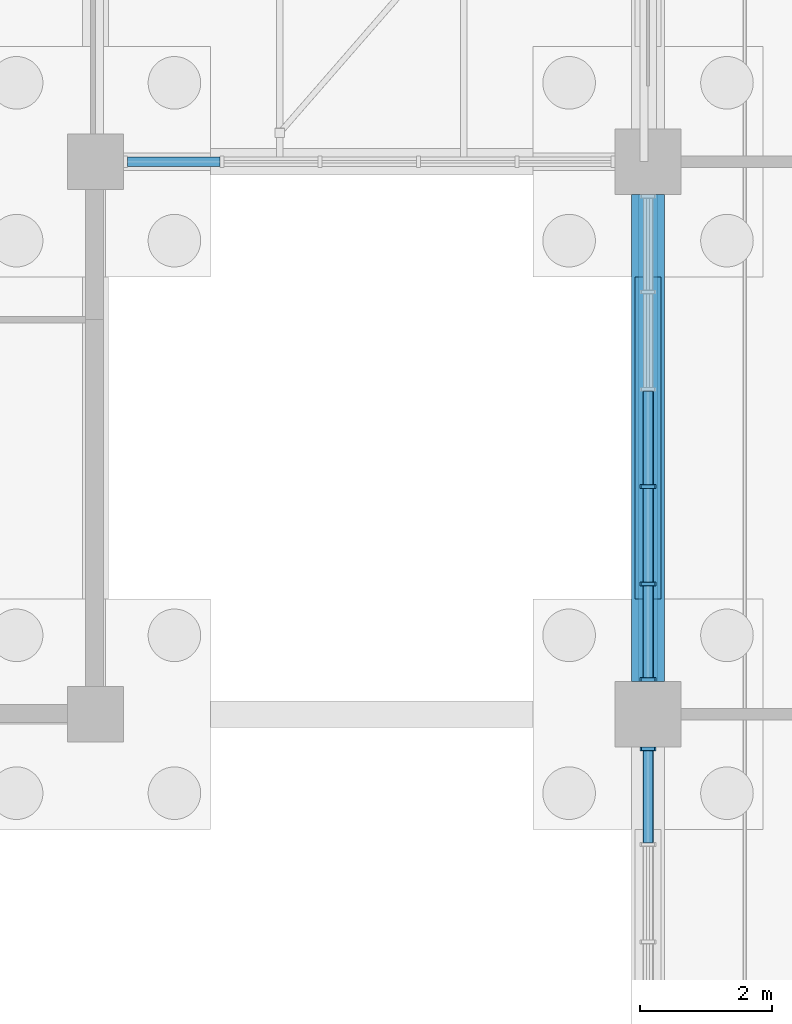
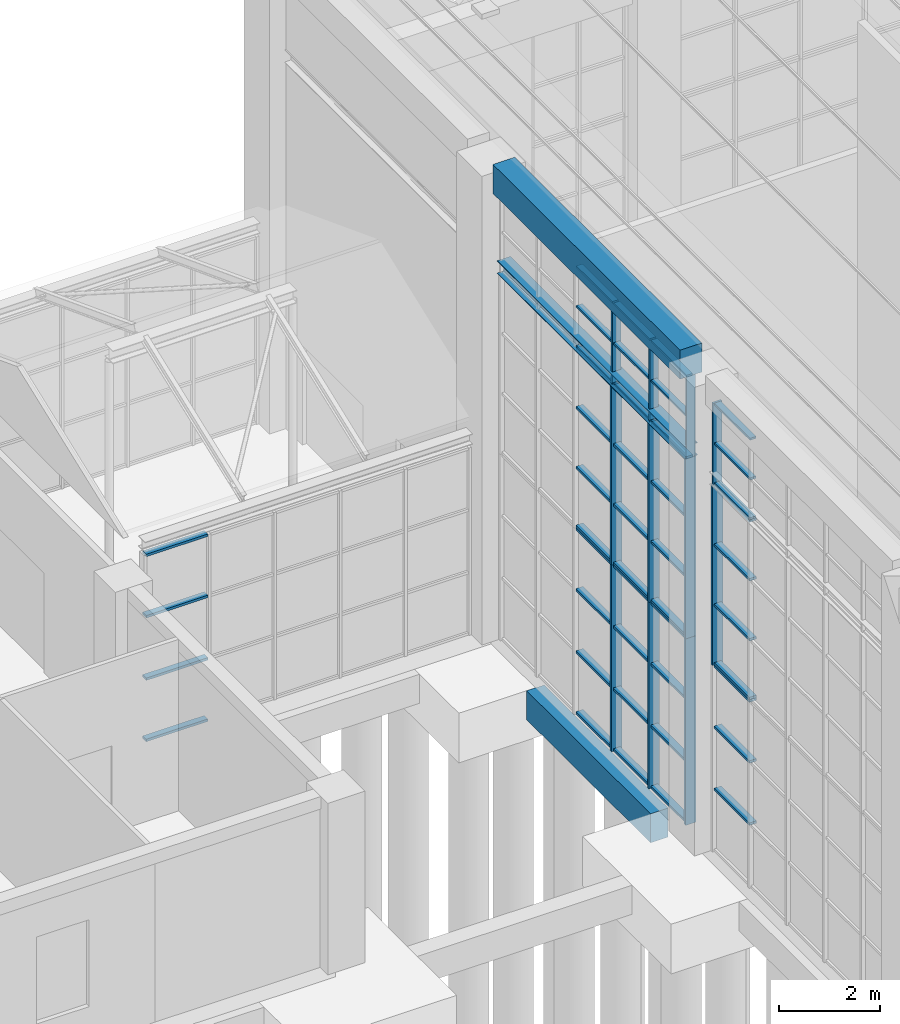
# One storey, part 50 of 138: 58 members, 3 beams, 7 elements without a shape of their own.
"""IFC4 building model written with IfcOpenShell, lengths in metres."""

from ifc_helpers import new_model, si_unit, direction, frame, origin, origin_2d, place, context, subcontext, project, spatial, rectangle, i_section, extrude, material, material_profile, profile_set, type_object, element, aggregate, save


model = new_model("IFC4")

# Units and contexts
model_context = context("Model", 3, precision=1e-05, world=origin(), true_north=direction((0.0, 1.0)))
body_context = subcontext(model_context, "Body", "Model", "MODEL_VIEW")
ifc_project = project(units=[si_unit("LENGTHUNIT", "METRE"), si_unit("AREAUNIT", "SQUARE_METRE"), si_unit("VOLUMEUNIT", "CUBIC_METRE"), si_unit("PLANEANGLEUNIT", "RADIAN"), si_unit("MASSUNIT", "GRAM", prefix="KILO")], contexts=[model_context])

# Site, building, storey
site_placement = place(None, origin())
site = spatial("IfcSite", under=ifc_project, at=site_placement, CompositionType="ELEMENT")
building_placement = place(site_placement, origin())
building = spatial("IfcBuilding", under=site, at=building_placement, Name="Yavir Park General Hospital", CompositionType="ELEMENT")
storey_placement = place(building_placement, origin())
storey = spatial("IfcBuildingStorey", under=building, at=storey_placement, Name="L00", CompositionType="ELEMENT", Elevation=0.0)

# Curtain wall, members
ifc_material_1 = material(Name="Aluminium curtain wall frame with insulated glazing", Category="aluminium")
curtain_wall_type_1 = type_object("IfcCurtainWallType", Name="Glazed link walls, 4525 high, 1400 module", PredefinedType="NOTDEFINED", material=ifc_material_1)
curtain_wall_1_placement = place(storey_placement, origin())
curtain_wall_1 = element("IfcCurtainWall", 1, at=curtain_wall_1_placement, inside=storey, type_object=curtain_wall_type_1, Name="CW38 L00-017", PredefinedType="NOTDEFINED")
ifc_material_2 = material(Name="Aluminium", Category="aluminium")
ifc_material_profile_1 = material_profile(ifc_material_2, rectangle(XDim=0.139892578125, YDim=0.06005859375, at=origin_2d()), Name="AL 140x60")
ifc_profile_set_1 = profile_set([ifc_material_profile_1], Name="Aluminium")
member_type_1 = type_object("IfcMemberType", Name="Glazed link walls, 4525 high transom 60 x 140", PredefinedType="MULLION", material=ifc_profile_set_1)
member_1_placement = place(storey_placement, frame((67.68505859375, 58.800048828125, 0.030029296875), z_axis=(1.0, 0.0, 0.0), x_axis=(0.0, 1.0, 0.0)))
member_1 = element("IfcMember", 2, at=member_1_placement, type_object=member_type_1, Name="CW38 transom 1.1", PredefinedType="MULLION", context=body_context, shape_type="SweptSolid", body=[
    extrude(rectangle(XDim=0.139892578125, YDim=0.06005859375, at=origin_2d()), origin(), (0.0, 0.0, 1.0), 1.405029296875),
])
member_2_placement = place(storey_placement, frame((67.68505859375, 58.800048828125, 1.50830078125), z_axis=(1.0, 0.0, 0.0), x_axis=(0.0, 1.0, 0.0)))
member_2 = element("IfcMember", 3, at=member_2_placement, type_object=member_type_1, Name="CW38 transom 1.2", PredefinedType="MULLION", context=body_context, shape_type="SweptSolid", body=[
    extrude(rectangle(XDim=0.139892578125, YDim=0.06005859375, at=origin_2d()), origin(), (0.0, 0.0, 1.0), 1.405029296875),
])
member_3_placement = place(storey_placement, frame((67.68505859375, 58.800048828125, 3.0166015625), z_axis=(1.0, 0.0, 0.0), x_axis=(0.0, 1.0, 0.0)))
member_3 = element("IfcMember", 4, at=member_3_placement, type_object=member_type_1, Name="CW38 transom 1.3", PredefinedType="MULLION", context=body_context, shape_type="SweptSolid", body=[
    extrude(rectangle(XDim=0.139892578125, YDim=0.06005859375, at=origin_2d()), origin(), (0.0, 0.0, 1.0), 1.405029296875),
])
member_4_placement = place(storey_placement, frame((67.68505859375, 58.800048828125, 4.4951171875), z_axis=(1.0, 0.0, 0.0), x_axis=(0.0, 1.0, 0.0)))
member_4 = element("IfcMember", 5, at=member_4_placement, type_object=member_type_1, Name="CW38 transom 1.4", PredefinedType="MULLION", context=body_context, shape_type="SweptSolid", body=[
    extrude(rectangle(XDim=0.139892578125, YDim=0.06005859375, at=origin_2d()), origin(), (0.0, 0.0, 1.0), 1.405029296875),
])
aggregate(curtain_wall_1, [member_1, member_2, member_3, member_4])

# Beam
ifc_material_3 = material(Name="Steel S355", Category="steel")
ifc_material_profile_2 = material_profile(ifc_material_3, i_section(OverallWidth=0.300048828125, OverallDepth=0.31005859375, WebThickness=0.009033203125, FlangeThickness=0.015380859375, FilletRadius=0.027099609375, at=origin_2d()), Name="HEA320")
ifc_profile_set_2 = profile_set([ifc_material_profile_2], Name="Steel S355")
beam_type_1 = type_object("IfcBeamType", Name="HEA 320 wind girder", PredefinedType="BEAM", material=ifc_profile_set_2)
beam_1_placement = place(storey_placement, frame((75.60009765625, 50.89990234375, 9.0), z_axis=(0.0, 1.0, 0.0), x_axis=(-1.0, 0.0, 0.0)))
element("IfcBeam", 6, at=beam_1_placement, inside=storey, type_object=beam_type_1, Name="B:HALL:WIND:W1", PredefinedType="BEAM", context=body_context, shape_type="SweptSolid", body=[
    extrude(i_section(OverallWidth=0.300048828125, OverallDepth=0.31005859375, WebThickness=0.009033203125, FlangeThickness=0.015380859375, FilletRadius=0.027099609375, at=origin_2d()), origin(), (0.0, 0.0, 1.0), 7.400146484375),
])

# Curtain wall, member
ifc_material_4 = material(Name="Aluminium curtain wall frame with insulated glazing", Category="aluminium")
curtain_wall_type_2 = type_object("IfcCurtainWallType", Name="Main hall glazing, clerestory band, 1970 high, 1400 module", PredefinedType="NOTDEFINED", material=ifc_material_4)
curtain_wall_2_placement = place(storey_placement, origin())
curtain_wall_2 = element("IfcCurtainWall", 7, at=curtain_wall_2_placement, inside=storey, type_object=curtain_wall_type_2, Name="CW35 L00-052", PredefinedType="NOTDEFINED")
ifc_material_5 = material(Name="Aluminium", Category="aluminium")
ifc_material_profile_3 = material_profile(ifc_material_5, rectangle(XDim=0.199951171875, YDim=0.050048828125, at=origin_2d()), Name="AL 50x200")
ifc_profile_set_3 = profile_set([ifc_material_profile_3], Name="Aluminium")
member_type_2 = type_object("IfcMemberType", Name="Main hall glazing, clerestory band, 1970 high mullion 50 x 200", PredefinedType="MULLION", material=ifc_profile_set_3)
member_5_placement = place(storey_placement, frame((75.60009765625, 49.875, 8.844970703125), z_axis=(0.0, 0.0, 1.0), x_axis=(-1.0, 0.0, 0.0)))
member_5 = element("IfcMember", 8, at=member_5_placement, type_object=member_type_2, Name="CW35 mullion 6", PredefinedType="MULLION", context=body_context, shape_type="SweptSolid", body=[
    extrude(rectangle(XDim=0.199951171875, YDim=0.050048828125, at=origin_2d()), origin(), (0.0, 0.0, 1.0), 1.969970703125),
])

# Curtain wall, members
curtain_wall_3_placement = place(storey_placement, origin())
curtain_wall_3 = element("IfcCurtainWall", 9, at=curtain_wall_3_placement, inside=storey, type_object=curtain_wall_type_2, Name="CW35 L00-055", PredefinedType="NOTDEFINED")
member_6_placement = place(storey_placement, frame((75.60009765625, 50.925048828125, 8.844970703125), z_axis=(0.0, 0.0, 1.0), x_axis=(-1.0, 0.0, 0.0)))
member_6 = element("IfcMember", 10, at=member_6_placement, type_object=member_type_2, Name="CW35 mullion 1", PredefinedType="MULLION", context=body_context, shape_type="SweptSolid", body=[
    extrude(rectangle(XDim=0.199951171875, YDim=0.050048828125, at=origin_2d()), origin(), (0.0, 0.0, 1.0), 1.969970703125),
])
member_7_placement = place(storey_placement, frame((75.60009765625, 52.3798828125, 8.844970703125), z_axis=(0.0, 0.0, 1.0), x_axis=(-1.0, 0.0, 0.0)))
member_7 = element("IfcMember", 11, at=member_7_placement, type_object=member_type_2, Name="CW35 mullion 2", PredefinedType="MULLION", context=body_context, shape_type="SweptSolid", body=[
    extrude(rectangle(XDim=0.199951171875, YDim=0.050048828125, at=origin_2d()), origin(), (0.0, 0.0, 1.0), 1.969970703125),
])
member_8_placement = place(storey_placement, frame((75.60009765625, 53.860107421875, 8.844970703125), z_axis=(0.0, 0.0, 1.0), x_axis=(-1.0, 0.0, 0.0)))
member_8 = element("IfcMember", 12, at=member_8_placement, type_object=member_type_2, Name="CW35 mullion 3", PredefinedType="MULLION", context=body_context, shape_type="SweptSolid", body=[
    extrude(rectangle(XDim=0.199951171875, YDim=0.050048828125, at=origin_2d()), origin(), (0.0, 0.0, 1.0), 1.969970703125),
])

# Member
ifc_material_6 = material(Name="Aluminium", Category="aluminium")
ifc_material_profile_4 = material_profile(ifc_material_6, rectangle(XDim=0.139892578125, YDim=0.050048828125, at=origin_2d()), Name="AL 140x50")
ifc_profile_set_4 = profile_set([ifc_material_profile_4], Name="Aluminium")
member_type_3 = type_object("IfcMemberType", Name="Main hall glazing, clerestory band, 1970 high transom 50 x 140", PredefinedType="MULLION", material=ifc_profile_set_4)
member_9_placement = place(storey_placement, frame((75.60009765625, 48.445068359375, 8.8701171875), z_axis=(0.0, 1.0, 0.0), x_axis=(-1.0, 0.0, 0.0)))
member_9 = element("IfcMember", 13, at=member_9_placement, type_object=member_type_3, Name="CW35 transom 5.1", PredefinedType="MULLION", context=body_context, shape_type="SweptSolid", body=[
    extrude(rectangle(XDim=0.139892578125, YDim=0.050048828125, at=origin_2d()), origin(), (0.0, 0.0, 1.0), 1.405029296875),
])

member_10_placement = place(storey_placement, frame((75.60009765625, 48.445068359375, 9.830078125), z_axis=(0.0, 1.0, 0.0), x_axis=(-1.0, 0.0, 0.0)))
member_10 = element("IfcMember", 14, at=member_10_placement, type_object=member_type_3, Name="CW35 transom 5.2", PredefinedType="MULLION", context=body_context, shape_type="SweptSolid", body=[
    extrude(rectangle(XDim=0.139892578125, YDim=0.050048828125, at=origin_2d()), origin(), (0.0, 0.0, 1.0), 1.405029296875),
])

member_11_placement = place(storey_placement, frame((75.60009765625, 48.445068359375, 10.7900390625), z_axis=(0.0, 1.0, 0.0), x_axis=(-1.0, 0.0, 0.0)))
member_11 = element("IfcMember", 15, at=member_11_placement, type_object=member_type_3, Name="CW35 transom 5.3", PredefinedType="MULLION", context=body_context, shape_type="SweptSolid", body=[
    extrude(rectangle(XDim=0.139892578125, YDim=0.050048828125, at=origin_2d()), origin(), (0.0, 0.0, 1.0), 1.405029296875),
])

aggregate(curtain_wall_2, [member_5, member_9, member_10, member_11])

member_12_placement = place(storey_placement, frame((75.60009765625, 50.949951171875, 8.8701171875), z_axis=(0.0, 1.0, 0.0), x_axis=(-1.0, 0.0, 0.0)))
member_12 = element("IfcMember", 16, at=member_12_placement, type_object=member_type_3, Name="CW35 transom 1.1", PredefinedType="MULLION", context=body_context, shape_type="SweptSolid", body=[
    extrude(rectangle(XDim=0.139892578125, YDim=0.050048828125, at=origin_2d()), origin(), (0.0, 0.0, 1.0), 1.405029296875),
])

member_13_placement = place(storey_placement, frame((75.60009765625, 50.949951171875, 9.830078125), z_axis=(0.0, 1.0, 0.0), x_axis=(-1.0, 0.0, 0.0)))
member_13 = element("IfcMember", 17, at=member_13_placement, type_object=member_type_3, Name="CW35 transom 1.2", PredefinedType="MULLION", context=body_context, shape_type="SweptSolid", body=[
    extrude(rectangle(XDim=0.139892578125, YDim=0.050048828125, at=origin_2d()), origin(), (0.0, 0.0, 1.0), 1.405029296875),
])

member_14_placement = place(storey_placement, frame((75.60009765625, 50.949951171875, 10.7900390625), z_axis=(0.0, 1.0, 0.0), x_axis=(-1.0, 0.0, 0.0)))
member_14 = element("IfcMember", 18, at=member_14_placement, type_object=member_type_3, Name="CW35 transom 1.3", PredefinedType="MULLION", context=body_context, shape_type="SweptSolid", body=[
    extrude(rectangle(XDim=0.139892578125, YDim=0.050048828125, at=origin_2d()), origin(), (0.0, 0.0, 1.0), 1.405029296875),
])

member_15_placement = place(storey_placement, frame((75.60009765625, 52.405029296875, 8.8701171875), z_axis=(0.0, 1.0, 0.0), x_axis=(-1.0, 0.0, 0.0)))
member_15 = element("IfcMember", 19, at=member_15_placement, type_object=member_type_3, Name="CW35 transom 2.1", PredefinedType="MULLION", context=body_context, shape_type="SweptSolid", body=[
    extrude(rectangle(XDim=0.139892578125, YDim=0.050048828125, at=origin_2d()), origin(), (0.0, 0.0, 1.0), 1.429931640625),
])

member_16_placement = place(storey_placement, frame((75.60009765625, 52.405029296875, 9.830078125), z_axis=(0.0, 1.0, 0.0), x_axis=(-1.0, 0.0, 0.0)))
member_16 = element("IfcMember", 20, at=member_16_placement, type_object=member_type_3, Name="CW35 transom 2.2", PredefinedType="MULLION", context=body_context, shape_type="SweptSolid", body=[
    extrude(rectangle(XDim=0.139892578125, YDim=0.050048828125, at=origin_2d()), origin(), (0.0, 0.0, 1.0), 1.429931640625),
])

member_17_placement = place(storey_placement, frame((75.60009765625, 52.405029296875, 10.7900390625), z_axis=(0.0, 1.0, 0.0), x_axis=(-1.0, 0.0, 0.0)))
member_17 = element("IfcMember", 21, at=member_17_placement, type_object=member_type_3, Name="CW35 transom 2.3", PredefinedType="MULLION", context=body_context, shape_type="SweptSolid", body=[
    extrude(rectangle(XDim=0.139892578125, YDim=0.050048828125, at=origin_2d()), origin(), (0.0, 0.0, 1.0), 1.429931640625),
])

member_18_placement = place(storey_placement, frame((75.60009765625, 53.885009765625, 8.8701171875), z_axis=(0.0, 1.0, 0.0), x_axis=(-1.0, 0.0, 0.0)))
member_18 = element("IfcMember", 22, at=member_18_placement, type_object=member_type_3, Name="CW35 transom 3.1", PredefinedType="MULLION", context=body_context, shape_type="SweptSolid", body=[
    extrude(rectangle(XDim=0.139892578125, YDim=0.050048828125, at=origin_2d()), origin(), (0.0, 0.0, 1.0), 1.429931640625),
])

member_19_placement = place(storey_placement, frame((75.60009765625, 53.885009765625, 9.830078125), z_axis=(0.0, 1.0, 0.0), x_axis=(-1.0, 0.0, 0.0)))
member_19 = element("IfcMember", 23, at=member_19_placement, type_object=member_type_3, Name="CW35 transom 3.2", PredefinedType="MULLION", context=body_context, shape_type="SweptSolid", body=[
    extrude(rectangle(XDim=0.139892578125, YDim=0.050048828125, at=origin_2d()), origin(), (0.0, 0.0, 1.0), 1.429931640625),
])

member_20_placement = place(storey_placement, frame((75.60009765625, 53.885009765625, 10.7900390625), z_axis=(0.0, 1.0, 0.0), x_axis=(-1.0, 0.0, 0.0)))
member_20 = element("IfcMember", 24, at=member_20_placement, type_object=member_type_3, Name="CW35 transom 3.3", PredefinedType="MULLION", context=body_context, shape_type="SweptSolid", body=[
    extrude(rectangle(XDim=0.139892578125, YDim=0.050048828125, at=origin_2d()), origin(), (0.0, 0.0, 1.0), 1.429931640625),
])

aggregate(curtain_wall_3, [member_6, member_7, member_8, member_12, member_13, member_14, member_15, member_16, member_17, member_18, member_19, member_20])

# Curtain wall, members
ifc_material_7 = material(Name="Aluminium curtain wall frame with insulated glazing", Category="aluminium")
curtain_wall_type_3 = type_object("IfcCurtainWallType", Name="Main hall glazing, lower band, 4500 high, 1400 module", PredefinedType="NOTDEFINED", material=ifc_material_7)
curtain_wall_4_placement = place(storey_placement, origin())
curtain_wall_4 = element("IfcCurtainWall", 25, at=curtain_wall_4_placement, inside=storey, type_object=curtain_wall_type_3, Name="CW33 L00-053", PredefinedType="NOTDEFINED")
ifc_material_8 = material(Name="Aluminium", Category="aluminium")
ifc_material_profile_5 = material_profile(ifc_material_8, rectangle(XDim=0.239990234375, YDim=0.06005859375, at=origin_2d()), Name="AL 60x240")
ifc_profile_set_5 = profile_set([ifc_material_profile_5], Name="Aluminium")
member_type_4 = type_object("IfcMemberType", Name="Main hall glazing, lower band, 4500 high mullion 60 x 240", PredefinedType="MULLION", material=ifc_profile_set_5)
member_21_placement = place(storey_placement, frame((75.60009765625, 50.929931640625, 0.0), z_axis=(0.0, 0.0, 1.0), x_axis=(-1.0, 0.0, 0.0)))
member_21 = element("IfcMember", 26, at=member_21_placement, type_object=member_type_4, Name="CW33 mullion 1", PredefinedType="MULLION", context=body_context, shape_type="SweptSolid", body=[
    extrude(rectangle(XDim=0.239990234375, YDim=0.06005859375, at=origin_2d()), origin(), (0.0, 0.0, 1.0), 4.5),
])
member_22_placement = place(storey_placement, frame((75.60009765625, 52.3798828125, 0.0), z_axis=(0.0, 0.0, 1.0), x_axis=(-1.0, 0.0, 0.0)))
member_22 = element("IfcMember", 27, at=member_22_placement, type_object=member_type_4, Name="CW33 mullion 2", PredefinedType="MULLION", context=body_context, shape_type="SweptSolid", body=[
    extrude(rectangle(XDim=0.239990234375, YDim=0.06005859375, at=origin_2d()), origin(), (0.0, 0.0, 1.0), 4.5),
])
member_23_placement = place(storey_placement, frame((75.60009765625, 53.860107421875, 0.0), z_axis=(0.0, 0.0, 1.0), x_axis=(-1.0, 0.0, 0.0)))
member_23 = element("IfcMember", 28, at=member_23_placement, type_object=member_type_4, Name="CW33 mullion 3", PredefinedType="MULLION", context=body_context, shape_type="SweptSolid", body=[
    extrude(rectangle(XDim=0.239990234375, YDim=0.06005859375, at=origin_2d()), origin(), (0.0, 0.0, 1.0), 4.5),
])

curtain_wall_5_placement = place(storey_placement, origin())
curtain_wall_5 = element("IfcCurtainWall", 29, at=curtain_wall_5_placement, inside=storey, type_object=curtain_wall_type_3, Name="CW33 L00-050", PredefinedType="NOTDEFINED")
ifc_material_9 = material(Name="Aluminium", Category="aluminium")
ifc_material_profile_6 = material_profile(ifc_material_9, rectangle(XDim=0.159912109375, YDim=0.06005859375, at=origin_2d()), Name="AL 160x60")
ifc_profile_set_6 = profile_set([ifc_material_profile_6], Name="Aluminium")
member_type_5 = type_object("IfcMemberType", Name="Main hall glazing, lower band, 4500 high transom 60 x 160", PredefinedType="MULLION", material=ifc_profile_set_6)
member_24_placement = place(storey_placement, frame((75.60009765625, 48.449951171875, 1.5), z_axis=(0.0, 1.0, 0.0), x_axis=(-1.0, 0.0, 0.0)))
member_24 = element("IfcMember", 30, at=member_24_placement, type_object=member_type_5, Name="CW33 transom 5.2", PredefinedType="MULLION", context=body_context, shape_type="SweptSolid", body=[
    extrude(rectangle(XDim=0.159912109375, YDim=0.06005859375, at=origin_2d()), origin(), (0.0, 0.0, 1.0), 1.39013671875),
])
member_25_placement = place(storey_placement, frame((75.60009765625, 48.449951171875, 3.0), z_axis=(0.0, 1.0, 0.0), x_axis=(-1.0, 0.0, 0.0)))
member_25 = element("IfcMember", 31, at=member_25_placement, type_object=member_type_5, Name="CW33 transom 5.3", PredefinedType="MULLION", context=body_context, shape_type="SweptSolid", body=[
    extrude(rectangle(XDim=0.159912109375, YDim=0.06005859375, at=origin_2d()), origin(), (0.0, 0.0, 1.0), 1.39013671875),
])
member_26_placement = place(storey_placement, frame((75.60009765625, 48.449951171875, 4.469970703125), z_axis=(0.0, 1.0, 0.0), x_axis=(-1.0, 0.0, 0.0)))
member_26 = element("IfcMember", 32, at=member_26_placement, type_object=member_type_5, Name="CW33 transom 5.4", PredefinedType="MULLION", context=body_context, shape_type="SweptSolid", body=[
    extrude(rectangle(XDim=0.159912109375, YDim=0.06005859375, at=origin_2d()), origin(), (0.0, 0.0, 1.0), 1.39013671875),
])
aggregate(curtain_wall_5, [member_24, member_25, member_26])

# Member
member_27_placement = place(storey_placement, frame((75.60009765625, 50.9599609375, 0.030029296875), z_axis=(0.0, 1.0, 0.0), x_axis=(-1.0, 0.0, 0.0)))
member_27 = element("IfcMember", 33, at=member_27_placement, type_object=member_type_5, Name="CW33 transom 1.1", PredefinedType="MULLION", context=body_context, shape_type="SweptSolid", body=[
    extrude(rectangle(XDim=0.159912109375, YDim=0.06005859375, at=origin_2d()), origin(), (0.0, 0.0, 1.0), 1.39013671875),
])

member_28_placement = place(storey_placement, frame((75.60009765625, 50.9599609375, 1.5), z_axis=(0.0, 1.0, 0.0), x_axis=(-1.0, 0.0, 0.0)))
member_28 = element("IfcMember", 34, at=member_28_placement, type_object=member_type_5, Name="CW33 transom 1.2", PredefinedType="MULLION", context=body_context, shape_type="SweptSolid", body=[
    extrude(rectangle(XDim=0.159912109375, YDim=0.06005859375, at=origin_2d()), origin(), (0.0, 0.0, 1.0), 1.39013671875),
])

member_29_placement = place(storey_placement, frame((75.60009765625, 50.9599609375, 3.0), z_axis=(0.0, 1.0, 0.0), x_axis=(-1.0, 0.0, 0.0)))
member_29 = element("IfcMember", 35, at=member_29_placement, type_object=member_type_5, Name="CW33 transom 1.3", PredefinedType="MULLION", context=body_context, shape_type="SweptSolid", body=[
    extrude(rectangle(XDim=0.159912109375, YDim=0.06005859375, at=origin_2d()), origin(), (0.0, 0.0, 1.0), 1.39013671875),
])

member_30_placement = place(storey_placement, frame((75.60009765625, 50.9599609375, 4.469970703125), z_axis=(0.0, 1.0, 0.0), x_axis=(-1.0, 0.0, 0.0)))
member_30 = element("IfcMember", 36, at=member_30_placement, type_object=member_type_5, Name="CW33 transom 1.4", PredefinedType="MULLION", context=body_context, shape_type="SweptSolid", body=[
    extrude(rectangle(XDim=0.159912109375, YDim=0.06005859375, at=origin_2d()), origin(), (0.0, 0.0, 1.0), 1.39013671875),
])

member_31_placement = place(storey_placement, frame((75.60009765625, 52.409912109375, 0.030029296875), z_axis=(0.0, 1.0, 0.0), x_axis=(-1.0, 0.0, 0.0)))
member_31 = element("IfcMember", 37, at=member_31_placement, type_object=member_type_5, Name="CW33 transom 2.1", PredefinedType="MULLION", context=body_context, shape_type="SweptSolid", body=[
    extrude(rectangle(XDim=0.159912109375, YDim=0.06005859375, at=origin_2d()), origin(), (0.0, 0.0, 1.0), 1.420166015625),
])

member_32_placement = place(storey_placement, frame((75.60009765625, 52.409912109375, 1.5), z_axis=(0.0, 1.0, 0.0), x_axis=(-1.0, 0.0, 0.0)))
member_32 = element("IfcMember", 38, at=member_32_placement, type_object=member_type_5, Name="CW33 transom 2.2", PredefinedType="MULLION", context=body_context, shape_type="SweptSolid", body=[
    extrude(rectangle(XDim=0.159912109375, YDim=0.06005859375, at=origin_2d()), origin(), (0.0, 0.0, 1.0), 1.420166015625),
])

member_33_placement = place(storey_placement, frame((75.60009765625, 52.409912109375, 3.0), z_axis=(0.0, 1.0, 0.0), x_axis=(-1.0, 0.0, 0.0)))
member_33 = element("IfcMember", 39, at=member_33_placement, type_object=member_type_5, Name="CW33 transom 2.3", PredefinedType="MULLION", context=body_context, shape_type="SweptSolid", body=[
    extrude(rectangle(XDim=0.159912109375, YDim=0.06005859375, at=origin_2d()), origin(), (0.0, 0.0, 1.0), 1.420166015625),
])

member_34_placement = place(storey_placement, frame((75.60009765625, 52.409912109375, 4.469970703125), z_axis=(0.0, 1.0, 0.0), x_axis=(-1.0, 0.0, 0.0)))
member_34 = element("IfcMember", 40, at=member_34_placement, type_object=member_type_5, Name="CW33 transom 2.4", PredefinedType="MULLION", context=body_context, shape_type="SweptSolid", body=[
    extrude(rectangle(XDim=0.159912109375, YDim=0.06005859375, at=origin_2d()), origin(), (0.0, 0.0, 1.0), 1.420166015625),
])

member_35_placement = place(storey_placement, frame((75.60009765625, 53.889892578125, 0.030029296875), z_axis=(0.0, 1.0, 0.0), x_axis=(-1.0, 0.0, 0.0)))
member_35 = element("IfcMember", 41, at=member_35_placement, type_object=member_type_5, Name="CW33 transom 3.1", PredefinedType="MULLION", context=body_context, shape_type="SweptSolid", body=[
    extrude(rectangle(XDim=0.159912109375, YDim=0.06005859375, at=origin_2d()), origin(), (0.0, 0.0, 1.0), 1.420166015625),
])

member_36_placement = place(storey_placement, frame((75.60009765625, 53.889892578125, 1.5), z_axis=(0.0, 1.0, 0.0), x_axis=(-1.0, 0.0, 0.0)))
member_36 = element("IfcMember", 42, at=member_36_placement, type_object=member_type_5, Name="CW33 transom 3.2", PredefinedType="MULLION", context=body_context, shape_type="SweptSolid", body=[
    extrude(rectangle(XDim=0.159912109375, YDim=0.06005859375, at=origin_2d()), origin(), (0.0, 0.0, 1.0), 1.420166015625),
])

member_37_placement = place(storey_placement, frame((75.60009765625, 53.889892578125, 3.0), z_axis=(0.0, 1.0, 0.0), x_axis=(-1.0, 0.0, 0.0)))
member_37 = element("IfcMember", 43, at=member_37_placement, type_object=member_type_5, Name="CW33 transom 3.3", PredefinedType="MULLION", context=body_context, shape_type="SweptSolid", body=[
    extrude(rectangle(XDim=0.159912109375, YDim=0.06005859375, at=origin_2d()), origin(), (0.0, 0.0, 1.0), 1.420166015625),
])

member_38_placement = place(storey_placement, frame((75.60009765625, 53.889892578125, 4.469970703125), z_axis=(0.0, 1.0, 0.0), x_axis=(-1.0, 0.0, 0.0)))
member_38 = element("IfcMember", 44, at=member_38_placement, type_object=member_type_5, Name="CW33 transom 3.4", PredefinedType="MULLION", context=body_context, shape_type="SweptSolid", body=[
    extrude(rectangle(XDim=0.159912109375, YDim=0.06005859375, at=origin_2d()), origin(), (0.0, 0.0, 1.0), 1.420166015625),
])

aggregate(curtain_wall_4, [member_21, member_22, member_23, member_27, member_28, member_29, member_30, member_31, member_32, member_33, member_34, member_35, member_36, member_37, member_38])

# Curtain wall, member
ifc_material_10 = material(Name="Aluminium curtain wall frame with insulated glazing", Category="aluminium")
curtain_wall_type_4 = type_object("IfcCurtainWallType", Name="Main hall glazing, upper band, 4345 high, 1400 module", PredefinedType="NOTDEFINED", material=ifc_material_10)
curtain_wall_6_placement = place(storey_placement, origin())
curtain_wall_6 = element("IfcCurtainWall", 45, at=curtain_wall_6_placement, inside=storey, type_object=curtain_wall_type_4, Name="CW52 L00-051", PredefinedType="NOTDEFINED")
ifc_material_11 = material(Name="Aluminium", Category="aluminium")
ifc_material_profile_7 = material_profile(ifc_material_11, rectangle(XDim=0.239990234375, YDim=0.06005859375, at=origin_2d()), Name="AL 60x240")
ifc_profile_set_7 = profile_set([ifc_material_profile_7], Name="Aluminium")
member_type_6 = type_object("IfcMemberType", Name="Main hall glazing, upper band, 4345 high mullion 60 x 240", PredefinedType="MULLION", material=ifc_profile_set_7)
member_39_placement = place(storey_placement, frame((75.60009765625, 49.8701171875, 4.5), z_axis=(0.0, 0.0, 1.0), x_axis=(-1.0, 0.0, 0.0)))
member_39 = element("IfcMember", 46, at=member_39_placement, type_object=member_type_6, Name="CW52 mullion 6", PredefinedType="MULLION", context=body_context, shape_type="SweptSolid", body=[
    extrude(rectangle(XDim=0.239990234375, YDim=0.06005859375, at=origin_2d()), origin(), (0.0, 0.0, 1.0), 4.344970703125),
])

# Curtain wall, members
curtain_wall_7_placement = place(storey_placement, origin())
curtain_wall_7 = element("IfcCurtainWall", 47, at=curtain_wall_7_placement, inside=storey, type_object=curtain_wall_type_4, Name="CW52 L00-054", PredefinedType="NOTDEFINED")
member_40_placement = place(storey_placement, frame((75.60009765625, 50.929931640625, 4.5), z_axis=(0.0, 0.0, 1.0), x_axis=(-1.0, 0.0, 0.0)))
member_40 = element("IfcMember", 48, at=member_40_placement, type_object=member_type_6, Name="CW52 mullion 1", PredefinedType="MULLION", context=body_context, shape_type="SweptSolid", body=[
    extrude(rectangle(XDim=0.239990234375, YDim=0.06005859375, at=origin_2d()), origin(), (0.0, 0.0, 1.0), 4.344970703125),
])
member_41_placement = place(storey_placement, frame((75.60009765625, 52.3798828125, 4.5), z_axis=(0.0, 0.0, 1.0), x_axis=(-1.0, 0.0, 0.0)))
member_41 = element("IfcMember", 49, at=member_41_placement, type_object=member_type_6, Name="CW52 mullion 2", PredefinedType="MULLION", context=body_context, shape_type="SweptSolid", body=[
    extrude(rectangle(XDim=0.239990234375, YDim=0.06005859375, at=origin_2d()), origin(), (0.0, 0.0, 1.0), 4.344970703125),
])
member_42_placement = place(storey_placement, frame((75.60009765625, 53.860107421875, 4.5), z_axis=(0.0, 0.0, 1.0), x_axis=(-1.0, 0.0, 0.0)))
member_42 = element("IfcMember", 50, at=member_42_placement, type_object=member_type_6, Name="CW52 mullion 3", PredefinedType="MULLION", context=body_context, shape_type="SweptSolid", body=[
    extrude(rectangle(XDim=0.239990234375, YDim=0.06005859375, at=origin_2d()), origin(), (0.0, 0.0, 1.0), 4.344970703125),
])

# Member
ifc_material_12 = material(Name="Aluminium", Category="aluminium")
ifc_material_profile_8 = material_profile(ifc_material_12, rectangle(XDim=0.159912109375, YDim=0.06005859375, at=origin_2d()), Name="AL 160x60")
ifc_profile_set_8 = profile_set([ifc_material_profile_8], Name="Aluminium")
member_type_7 = type_object("IfcMemberType", Name="Main hall glazing, upper band, 4345 high transom 60 x 160", PredefinedType="MULLION", material=ifc_profile_set_8)
member_43_placement = place(storey_placement, frame((75.60009765625, 48.449951171875, 4.530029296875), z_axis=(0.0, 1.0, 0.0), x_axis=(-1.0, 0.0, 0.0)))
member_43 = element("IfcMember", 51, at=member_43_placement, type_object=member_type_7, Name="CW52 transom 5.1", PredefinedType="MULLION", context=body_context, shape_type="SweptSolid", body=[
    extrude(rectangle(XDim=0.159912109375, YDim=0.06005859375, at=origin_2d()), origin(), (0.0, 0.0, 1.0), 1.39013671875),
])

member_44_placement = place(storey_placement, frame((75.60009765625, 48.449951171875, 5.9482421875), z_axis=(0.0, 1.0, 0.0), x_axis=(-1.0, 0.0, 0.0)))
member_44 = element("IfcMember", 52, at=member_44_placement, type_object=member_type_7, Name="CW52 transom 5.2", PredefinedType="MULLION", context=body_context, shape_type="SweptSolid", body=[
    extrude(rectangle(XDim=0.159912109375, YDim=0.06005859375, at=origin_2d()), origin(), (0.0, 0.0, 1.0), 1.39013671875),
])

member_45_placement = place(storey_placement, frame((75.60009765625, 48.449951171875, 7.396728515625), z_axis=(0.0, 1.0, 0.0), x_axis=(-1.0, 0.0, 0.0)))
member_45 = element("IfcMember", 53, at=member_45_placement, type_object=member_type_7, Name="CW52 transom 5.3", PredefinedType="MULLION", context=body_context, shape_type="SweptSolid", body=[
    extrude(rectangle(XDim=0.159912109375, YDim=0.06005859375, at=origin_2d()), origin(), (0.0, 0.0, 1.0), 1.39013671875),
])

member_46_placement = place(storey_placement, frame((75.60009765625, 48.449951171875, 8.81494140625), z_axis=(0.0, 1.0, 0.0), x_axis=(-1.0, 0.0, 0.0)))
member_46 = element("IfcMember", 54, at=member_46_placement, type_object=member_type_7, Name="CW52 transom 5.4", PredefinedType="MULLION", context=body_context, shape_type="SweptSolid", body=[
    extrude(rectangle(XDim=0.159912109375, YDim=0.06005859375, at=origin_2d()), origin(), (0.0, 0.0, 1.0), 1.39013671875),
])

aggregate(curtain_wall_6, [member_39, member_43, member_44, member_45, member_46])

member_47_placement = place(storey_placement, frame((75.60009765625, 50.9599609375, 4.530029296875), z_axis=(0.0, 1.0, 0.0), x_axis=(-1.0, 0.0, 0.0)))
member_47 = element("IfcMember", 55, at=member_47_placement, type_object=member_type_7, Name="CW52 transom 1.1", PredefinedType="MULLION", context=body_context, shape_type="SweptSolid", body=[
    extrude(rectangle(XDim=0.159912109375, YDim=0.06005859375, at=origin_2d()), origin(), (0.0, 0.0, 1.0), 1.39013671875),
])

member_48_placement = place(storey_placement, frame((75.60009765625, 50.9599609375, 5.9482421875), z_axis=(0.0, 1.0, 0.0), x_axis=(-1.0, 0.0, 0.0)))
member_48 = element("IfcMember", 56, at=member_48_placement, type_object=member_type_7, Name="CW52 transom 1.2", PredefinedType="MULLION", context=body_context, shape_type="SweptSolid", body=[
    extrude(rectangle(XDim=0.159912109375, YDim=0.06005859375, at=origin_2d()), origin(), (0.0, 0.0, 1.0), 1.39013671875),
])

member_49_placement = place(storey_placement, frame((75.60009765625, 50.9599609375, 7.396728515625), z_axis=(0.0, 1.0, 0.0), x_axis=(-1.0, 0.0, 0.0)))
member_49 = element("IfcMember", 57, at=member_49_placement, type_object=member_type_7, Name="CW52 transom 1.3", PredefinedType="MULLION", context=body_context, shape_type="SweptSolid", body=[
    extrude(rectangle(XDim=0.159912109375, YDim=0.06005859375, at=origin_2d()), origin(), (0.0, 0.0, 1.0), 1.39013671875),
])

member_50_placement = place(storey_placement, frame((75.60009765625, 50.9599609375, 8.81494140625), z_axis=(0.0, 1.0, 0.0), x_axis=(-1.0, 0.0, 0.0)))
member_50 = element("IfcMember", 58, at=member_50_placement, type_object=member_type_7, Name="CW52 transom 1.4", PredefinedType="MULLION", context=body_context, shape_type="SweptSolid", body=[
    extrude(rectangle(XDim=0.159912109375, YDim=0.06005859375, at=origin_2d()), origin(), (0.0, 0.0, 1.0), 1.39013671875),
])

member_51_placement = place(storey_placement, frame((75.60009765625, 52.409912109375, 4.530029296875), z_axis=(0.0, 1.0, 0.0), x_axis=(-1.0, 0.0, 0.0)))
member_51 = element("IfcMember", 59, at=member_51_placement, type_object=member_type_7, Name="CW52 transom 2.1", PredefinedType="MULLION", context=body_context, shape_type="SweptSolid", body=[
    extrude(rectangle(XDim=0.159912109375, YDim=0.06005859375, at=origin_2d()), origin(), (0.0, 0.0, 1.0), 1.420166015625),
])

member_52_placement = place(storey_placement, frame((75.60009765625, 52.409912109375, 5.9482421875), z_axis=(0.0, 1.0, 0.0), x_axis=(-1.0, 0.0, 0.0)))
member_52 = element("IfcMember", 60, at=member_52_placement, type_object=member_type_7, Name="CW52 transom 2.2", PredefinedType="MULLION", context=body_context, shape_type="SweptSolid", body=[
    extrude(rectangle(XDim=0.159912109375, YDim=0.06005859375, at=origin_2d()), origin(), (0.0, 0.0, 1.0), 1.420166015625),
])

member_53_placement = place(storey_placement, frame((75.60009765625, 52.409912109375, 7.396728515625), z_axis=(0.0, 1.0, 0.0), x_axis=(-1.0, 0.0, 0.0)))
member_53 = element("IfcMember", 61, at=member_53_placement, type_object=member_type_7, Name="CW52 transom 2.3", PredefinedType="MULLION", context=body_context, shape_type="SweptSolid", body=[
    extrude(rectangle(XDim=0.159912109375, YDim=0.06005859375, at=origin_2d()), origin(), (0.0, 0.0, 1.0), 1.420166015625),
])

member_54_placement = place(storey_placement, frame((75.60009765625, 52.409912109375, 8.81494140625), z_axis=(0.0, 1.0, 0.0), x_axis=(-1.0, 0.0, 0.0)))
member_54 = element("IfcMember", 62, at=member_54_placement, type_object=member_type_7, Name="CW52 transom 2.4", PredefinedType="MULLION", context=body_context, shape_type="SweptSolid", body=[
    extrude(rectangle(XDim=0.159912109375, YDim=0.06005859375, at=origin_2d()), origin(), (0.0, 0.0, 1.0), 1.420166015625),
])

member_55_placement = place(storey_placement, frame((75.60009765625, 53.889892578125, 4.530029296875), z_axis=(0.0, 1.0, 0.0), x_axis=(-1.0, 0.0, 0.0)))
member_55 = element("IfcMember", 63, at=member_55_placement, type_object=member_type_7, Name="CW52 transom 3.1", PredefinedType="MULLION", context=body_context, shape_type="SweptSolid", body=[
    extrude(rectangle(XDim=0.159912109375, YDim=0.06005859375, at=origin_2d()), origin(), (0.0, 0.0, 1.0), 1.420166015625),
])

member_56_placement = place(storey_placement, frame((75.60009765625, 53.889892578125, 5.9482421875), z_axis=(0.0, 1.0, 0.0), x_axis=(-1.0, 0.0, 0.0)))
member_56 = element("IfcMember", 64, at=member_56_placement, type_object=member_type_7, Name="CW52 transom 3.2", PredefinedType="MULLION", context=body_context, shape_type="SweptSolid", body=[
    extrude(rectangle(XDim=0.159912109375, YDim=0.06005859375, at=origin_2d()), origin(), (0.0, 0.0, 1.0), 1.420166015625),
])

member_57_placement = place(storey_placement, frame((75.60009765625, 53.889892578125, 7.396728515625), z_axis=(0.0, 1.0, 0.0), x_axis=(-1.0, 0.0, 0.0)))
member_57 = element("IfcMember", 65, at=member_57_placement, type_object=member_type_7, Name="CW52 transom 3.3", PredefinedType="MULLION", context=body_context, shape_type="SweptSolid", body=[
    extrude(rectangle(XDim=0.159912109375, YDim=0.06005859375, at=origin_2d()), origin(), (0.0, 0.0, 1.0), 1.420166015625),
])

member_58_placement = place(storey_placement, frame((75.60009765625, 53.889892578125, 8.81494140625), z_axis=(0.0, 1.0, 0.0), x_axis=(-1.0, 0.0, 0.0)))
member_58 = element("IfcMember", 66, at=member_58_placement, type_object=member_type_7, Name="CW52 transom 3.4", PredefinedType="MULLION", context=body_context, shape_type="SweptSolid", body=[
    extrude(rectangle(XDim=0.159912109375, YDim=0.06005859375, at=origin_2d()), origin(), (0.0, 0.0, 1.0), 1.420166015625),
])

aggregate(curtain_wall_7, [member_40, member_41, member_42, member_47, member_48, member_49, member_50, member_51, member_52, member_53, member_54, member_55, member_56, member_57, member_58])

# Beams
ifc_material_13 = material(Name="Concrete C35/45", Category="concrete")
ifc_material_profile_9 = material_profile(ifc_material_13, rectangle(XDim=0.39990234375, YDim=0.699951171875, at=origin_2d()), Name="RC400x700")
ifc_profile_set_9 = profile_set([ifc_material_profile_9], Name="Concrete C35/45")
beam_type_2 = type_object("IfcBeamType", Name="RC BEAM 400x700 ground beam", PredefinedType="BEAM", material=ifc_profile_set_9)
beam_2_placement = place(storey_placement, frame((75.60009765625, 52.14990234375, -0.800048828125), z_axis=(0.0, 1.0, 0.0), x_axis=(-1.0, 0.0, 0.0)))
element("IfcBeam", 67, at=beam_2_placement, inside=storey, type_object=beam_type_2, Name="B:GND:L00:10G:L00:10H", PredefinedType="BEAM", context=body_context, shape_type="SweptSolid", body=[
    extrude(rectangle(XDim=0.39990234375, YDim=0.699951171875, at=origin_2d()), origin(), (0.0, 0.0, 1.0), 4.900146484375),
])
ifc_material_14 = material(Name="Concrete C35/45", Category="concrete")
ifc_material_profile_10 = material_profile(ifc_material_14, rectangle(XDim=0.5, YDim=0.699951171875, at=origin_2d()), Name="RC500x700")
ifc_profile_set_10 = profile_set([ifc_material_profile_10], Name="Concrete C35/45")
beam_type_3 = type_object("IfcBeamType", Name="RC BEAM 500x700 hall edge girder", PredefinedType="BEAM", material=ifc_profile_set_10)
beam_3_placement = place(storey_placement, frame((75.60009765625, 50.89990234375, 11.1650390625), z_axis=(0.0, 1.0, 0.0), x_axis=(-1.0, 0.0, 0.0)))
element("IfcBeam", 68, at=beam_3_placement, inside=storey, type_object=beam_type_3, Name="B:HALL:EDGE:W1", PredefinedType="BEAM", context=body_context, shape_type="SweptSolid", body=[
    extrude(rectangle(XDim=0.5, YDim=0.699951171875, at=origin_2d()), origin(), (0.0, 0.0, 1.0), 7.400146484375),
])

save(model, "model.ifc")
